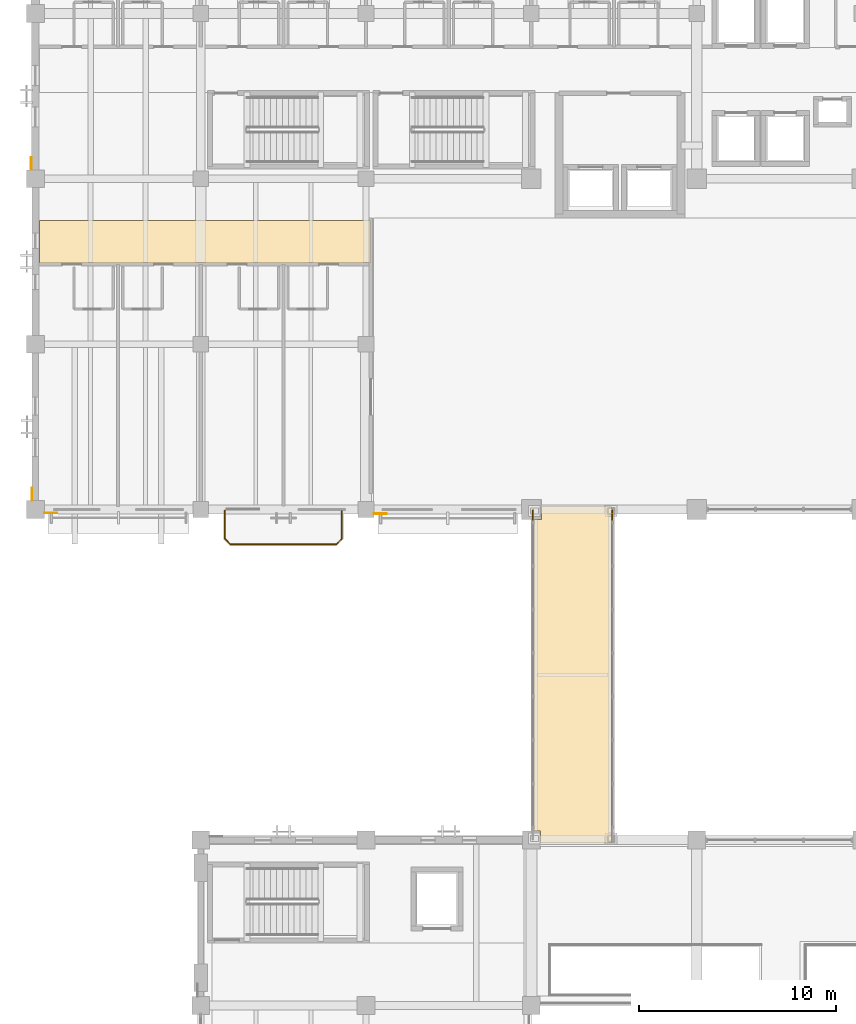
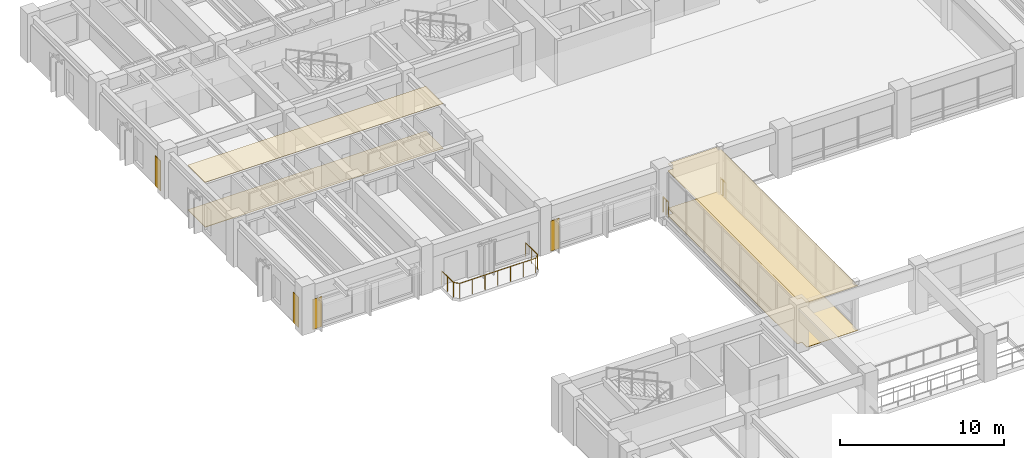
# One storey, part 99 of 118: 8 coverings, 3 railings.
"""IFC4 building model written with IfcOpenShell, lengths in metres."""

from ifc_helpers import new_model, si_unit, direction, frame, origin, origin_2d, place, context, subcontext, project, spatial, polyline, circle, outline, extrude, material, layer, layer_set, type_object, element, save


model = new_model("IFC4")

# Units and contexts
model_context = context("Model", 3, precision=1e-05, world=origin(), true_north=direction((0.0, 1.0)))
body_context = subcontext(model_context, "Body", "Model", "MODEL_VIEW")
ifc_project = project(units=[si_unit("LENGTHUNIT", "METRE"), si_unit("AREAUNIT", "SQUARE_METRE"), si_unit("VOLUMEUNIT", "CUBIC_METRE"), si_unit("PLANEANGLEUNIT", "RADIAN"), si_unit("MASSUNIT", "GRAM", prefix="KILO")], contexts=[model_context])

# Site, building, storey
site_placement = place(None, origin())
site = spatial("IfcSite", under=ifc_project, at=site_placement, CompositionType="ELEMENT")
building_placement = place(site_placement, origin())
building = spatial("IfcBuilding", under=site, at=building_placement, Name="Cumbredor Promenade Congress Hotel", CompositionType="ELEMENT")
storey_placement = place(building_placement, frame((0.0, 0.0, 3.919921875)))
storey = spatial("IfcBuildingStorey", under=building, at=storey_placement, Name="L01", CompositionType="ELEMENT", Elevation=3.919921875)

# Coverings
ifc_material_1 = material(Name="Acoustic mineral-fiber and gypsum ceiling")
ifc_layer_1 = layer(ifc_material_1, 0.028076171875, Name="Acoustic mineral-fiber and gypsum ceiling")
ifc_layer_set_1 = layer_set([ifc_layer_1], Name="Acoustic mineral-fiber and gypsum ceiling")
covering_type_1 = type_object("IfcCoveringType", Name="Acoustic Perforated Gypsum Ceiling CLG-03 28mm", PredefinedType="CEILING", material=ifc_layer_set_1)
covering_1_placement = place(storey_placement, frame((0.0, 0.0, 3.33203125)))
element("IfcCovering", 1, at=covering_1_placement, inside=storey, type_object=covering_type_1, Name="L01 Hotel West Garden Corridor Acoustic Ceiling", PredefinedType="CEILING", context=body_context, shape_type="SweptSolid", body=[
    extrude(outline(polyline([(0.205078125, 96.530029296875), (0.205078125, 98.669921875), (17.02001953125, 98.669921875), (17.02001953125, 96.530029296875), (0.205078125, 96.530029296875)])), origin(), (0.0, 0.0, 1.0), 0.028076171875),
])
ifc_layer_2 = layer(ifc_material_1, 0.031982421875, Name="Acoustic mineral-fiber and gypsum ceiling")
ifc_layer_set_2 = layer_set([ifc_layer_2], Name="Acoustic mineral-fiber and gypsum ceiling")
covering_type_2 = type_object("IfcCoveringType", Name="Acoustic Perforated Gypsum Ceiling CLG-04 32mm", PredefinedType="CEILING", material=ifc_layer_set_2)
covering_2_placement = place(storey_placement, frame((0.0, 0.0, 3.328125)))
element("IfcCovering", 2, at=covering_2_placement, inside=storey, type_object=covering_type_2, Name="L01 West Congress-to-Hotel Glazed Bridge Concourse Acoustic Ceiling", PredefinedType="CEILING", context=body_context, shape_type="SweptSolid", body=[
    extrude(outline(polyline([(29.27001953125, 84.139892578125), (29.27001953125, 67.06005859375), (25.655029296875, 67.06005859375), (25.655029296875, 67.655029296875), (25.330078125, 67.655029296875), (25.330078125, 83.4951171875), (25.705078125, 83.4951171875), (25.705078125, 84.139892578125), (29.27001953125, 84.139892578125)])), origin(), (0.0, 0.0, 1.0), 0.031982421875),
])
ifc_material_2 = material(Name="Precast concrete C40/50", Category="concrete")
ifc_layer_3 = layer(ifc_material_2, 0.044921875, Name="Precast concrete C40/50", Category="concrete")
ifc_layer_set_3 = layer_set([ifc_layer_3], Name="Precast concrete C40/50")
covering_type_3 = type_object("IfcCoveringType", Name="Board-Formed Architectural Cladding Panel 45mm", PredefinedType="CLADDING", material=ifc_layer_set_3)
covering_3_placement = place(storey_placement, origin())
element("IfcCovering", 3, at=covering_3_placement, inside=storey, type_object=covering_type_3, Name="L01 Facade Stone Cladding Pier 082", PredefinedType="CLADDING", context=body_context, shape_type="SweptSolid", body=[
    extrude(outline(polyline([(17.200927734375, 83.81005859375), (17.85107421875, 83.81005859375), (17.85107421875, 83.764892578125), (17.200927734375, 83.764892578125), (17.200927734375, 83.81005859375)])), origin(), (0.0, 0.0, 1.0), 2.25),
])
covering_4_placement = place(storey_placement, origin())
element("IfcCovering", 4, at=covering_4_placement, inside=storey, type_object=covering_type_3, Name="L01 Facade Stone Cladding Pier 090", PredefinedType="CLADDING", context=body_context, shape_type="SweptSolid", body=[
    extrude(outline(polyline([(-0.18994140625, 101.2509765625), (-0.18994140625, 101.90087890625), (-0.235107421875, 101.90087890625), (-0.235107421875, 101.2509765625), (-0.18994140625, 101.2509765625)])), origin(), (0.0, 0.0, 1.0), 2.25),
])
ifc_material_3 = material(Name="Porcelain stoneware tile", Category="masonry")
ifc_layer_4 = layer(ifc_material_3, 0.02001953125, Name="Porcelain stoneware tile", Category="masonry")
ifc_layer_set_4 = layer_set([ifc_layer_4], Name="Porcelain stoneware tile")
covering_type_4 = type_object("IfcCoveringType", Name="Porcelain Stoneware Flooring FLR-01 20mm", PredefinedType="FLOORING", material=ifc_layer_set_4)
covering_5_placement = place(storey_placement, origin())
element("IfcCovering", 5, at=covering_5_placement, inside=storey, type_object=covering_type_4, Name="L01 West Congress-to-Hotel Glazed Bridge Concourse Porcelain Flooring", PredefinedType="FLOORING", context=body_context, shape_type="SweptSolid", body=[
    extrude(outline(polyline([(29.27001953125, 84.139892578125), (29.27001953125, 67.06005859375), (25.655029296875, 67.06005859375), (25.655029296875, 67.655029296875), (25.330078125, 67.655029296875), (25.330078125, 83.4951171875), (25.705078125, 83.4951171875), (25.705078125, 84.139892578125), (29.27001953125, 84.139892578125)])), origin(), (0.0, 0.0, 1.0), 0.02001953125),
])
ifc_layer_5 = layer(ifc_material_3, 0.030029296875, Name="Porcelain stoneware tile", Category="masonry")
ifc_layer_set_5 = layer_set([ifc_layer_5], Name="Porcelain stoneware tile")
covering_type_5 = type_object("IfcCoveringType", Name="Porcelain Stoneware Flooring FLR-03 30mm", PredefinedType="FLOORING", material=ifc_layer_set_5)
covering_6_placement = place(storey_placement, origin())
element("IfcCovering", 6, at=covering_6_placement, inside=storey, type_object=covering_type_5, Name="L01 Hotel West Garden Corridor Porcelain Flooring", PredefinedType="FLOORING", context=body_context, shape_type="SweptSolid", body=[
    extrude(outline(polyline([(0.205078125, 96.530029296875), (0.205078125, 98.669921875), (17.02001953125, 98.669921875), (17.02001953125, 96.530029296875), (0.205078125, 96.530029296875)])), origin(), (0.0, 0.0, 1.0), 0.030029296875),
])

# Railings
ifc_material_4 = material(Name="Brushed stainless steel", Category="steel")
railing_type_1 = type_object("IfcRailingType", Name="Sky Garden Glass-and-Steel Balustrade BAL-1150", PredefinedType="BALUSTRADE", material=ifc_material_4)
for number, where, name in (
    (7, (25.280029296875, 83.300048828125, 0.0), "L01 West Congress-to-Hotel Glazed Bridge End Guardrail NW"),
    (8, (29.320068359375, 83.300048828125, 0.0), "L01 West Congress-to-Hotel Glazed Bridge End Guardrail NE"),
):
    element("IfcRailing", number, at=place(storey_placement, frame(where)), inside=storey, type_object=railing_type_1, Name=name, PredefinedType="BALUSTRADE", context=body_context, shape_type="SweptSolid", body=[
        extrude(circle(Radius=0.02392578125, at=origin_2d()), frame((0.0, 0.0, 1.1259765625), z_axis=(0.0, 1.0, 0.0), x_axis=(-1.0, 0.0, 0.0)), (0.0, 0.0, 1.0), 0.669921875),
        extrude(circle(Radius=0.02099609375, at=origin_2d()), origin(), (0.0, 0.0, 1.0), 1.101806640625),
        extrude(circle(Radius=0.02099609375, at=origin_2d()), frame((0.0, 0.3349609375, 0.0)), (0.0, 0.0, 1.0), 1.101806640625),
        extrude(circle(Radius=0.02099609375, at=origin_2d()), frame((0.0, 0.669921875, 0.0)), (0.0, 0.0, 1.0), 1.101806640625),
    ])
railing_type_2 = type_object("IfcRailingType", Name="Terrace Perimeter Balustrade BAL-1120", PredefinedType="BALUSTRADE", material=ifc_material_4)
railing_placement = place(storey_placement, frame((9.6298828125, 83.949951171875, 0.0)))
element("IfcRailing", 9, at=railing_placement, inside=storey, type_object=railing_type_2, Name="L01 Veranda Balcony Balustrade 001", PredefinedType="BALUSTRADE", context=body_context, shape_type="SweptSolid", body=[
    extrude(circle(Radius=0.02392578125, at=origin_2d()), frame((0.0, 0.0, 1.09619140625), z_axis=(0.0, -1.0, 0.0), x_axis=(1.0, 0.0, 0.0)), (0.0, 0.0, 1.0), 1.43994140625),
    extrude(circle(Radius=0.02392578125, at=origin_2d()), frame((0.0, -1.43994140625, 1.09619140625), z_axis=(0.707106781187, -0.707106781187, 0.0), x_axis=(0.707106781187, 0.707106781187, 0.0)), (0.0, 0.0, 1.0), 0.39599609375),
    extrude(circle(Radius=0.02392578125, at=origin_2d()), frame((0.280029296875, -1.719970703125, 1.09619140625), z_axis=(1.0, 0.0, 0.0), x_axis=(0.0, 1.0, 0.0)), (0.0, 0.0, 1.0), 5.380126953125),
    extrude(circle(Radius=0.02392578125, at=origin_2d()), frame((5.66015625, -1.719970703125, 1.09619140625), z_axis=(0.707106781187, 0.707106781187, 0.0), x_axis=(-0.707106781187, 0.707106781187, 0.0)), (0.0, 0.0, 1.0), 0.39599609375),
    extrude(circle(Radius=0.02392578125, at=origin_2d()), frame((5.940185546875, -1.43994140625, 1.09619140625), z_axis=(0.0, 1.0, 0.0), x_axis=(-1.0, 0.0, 0.0)), (0.0, 0.0, 1.0), 1.43994140625),
    extrude(circle(Radius=0.02099609375, at=origin_2d()), origin(), (0.0, 0.0, 1.0), 1.072021484375),
    extrude(circle(Radius=0.02099609375, at=origin_2d()), frame((0.0, -0.719970703125, 0.0)), (0.0, 0.0, 1.0), 1.072021484375),
    extrude(circle(Radius=0.02099609375, at=origin_2d()), frame((0.0, -1.43994140625, 0.0)), (0.0, 0.0, 1.0), 1.072021484375),
    extrude(circle(Radius=0.02099609375, at=origin_2d()), frame((0.280029296875, -1.719970703125, 0.0)), (0.0, 0.0, 1.0), 1.072021484375),
    extrude(circle(Radius=0.02099609375, at=origin_2d()), frame((1.1767578125, -1.719970703125, 0.0)), (0.0, 0.0, 1.0), 1.072021484375),
    extrude(circle(Radius=0.02099609375, at=origin_2d()), frame((2.073486328125, -1.719970703125, 0.0)), (0.0, 0.0, 1.0), 1.072021484375),
    extrude(circle(Radius=0.02099609375, at=origin_2d()), frame((2.97021484375, -1.719970703125, 0.0)), (0.0, 0.0, 1.0), 1.072021484375),
    extrude(circle(Radius=0.02099609375, at=origin_2d()), frame((3.86669921875, -1.719970703125, 0.0)), (0.0, 0.0, 1.0), 1.072021484375),
    extrude(circle(Radius=0.02099609375, at=origin_2d()), frame((4.763427734375, -1.719970703125, 0.0)), (0.0, 0.0, 1.0), 1.072021484375),
    extrude(circle(Radius=0.02099609375, at=origin_2d()), frame((5.66015625, -1.719970703125, 0.0)), (0.0, 0.0, 1.0), 1.072021484375),
    extrude(circle(Radius=0.02099609375, at=origin_2d()), frame((5.940185546875, -1.43994140625, 0.0)), (0.0, 0.0, 1.0), 1.072021484375),
    extrude(circle(Radius=0.02099609375, at=origin_2d()), frame((5.940185546875, -0.719970703125, 0.0)), (0.0, 0.0, 1.0), 1.072021484375),
    extrude(circle(Radius=0.02099609375, at=origin_2d()), frame((5.940185546875, 0.0, 0.0)), (0.0, 0.0, 1.0), 1.072021484375),
])

# Coverings
ifc_material_5 = material(Name="Volcanic andesite ashlar cladding", Category="masonry")
ifc_layer_6 = layer(ifc_material_5, 0.034912109375, Name="Volcanic andesite ashlar cladding", Category="masonry")
ifc_layer_set_6 = layer_set([ifc_layer_6], Name="Volcanic andesite ashlar cladding")
covering_type_6 = type_object("IfcCoveringType", Name="Volcanic Andesite Ashlar Rainscreen Cladding 35mm", PredefinedType="CLADDING", material=ifc_layer_set_6)
covering_7_placement = place(storey_placement, origin())
element("IfcCovering", 10, at=covering_7_placement, inside=storey, type_object=covering_type_6, Name="L01 Facade Stone Cladding Pier 081", PredefinedType="CLADDING", context=body_context, shape_type="SweptSolid", body=[
    extrude(outline(polyline([(0.450927734375, 83.83740234375), (1.10107421875, 83.83740234375), (1.10107421875, 83.802490234375), (0.450927734375, 83.802490234375), (0.450927734375, 83.83740234375)])), origin(), (0.0, 0.0, 1.0), 2.25),
])
covering_8_placement = place(storey_placement, origin())
element("IfcCovering", 11, at=covering_8_placement, inside=storey, type_object=covering_type_6, Name="L01 Facade Stone Cladding Pier 089", PredefinedType="CLADDING", context=body_context, shape_type="SweptSolid", body=[
    extrude(outline(polyline([(-0.16259765625, 84.450927734375), (-0.16259765625, 85.10107421875), (-0.197509765625, 85.10107421875), (-0.197509765625, 84.450927734375), (-0.16259765625, 84.450927734375)])), origin(), (0.0, 0.0, 1.0), 2.25),
])

save(model, "model.ifc")
